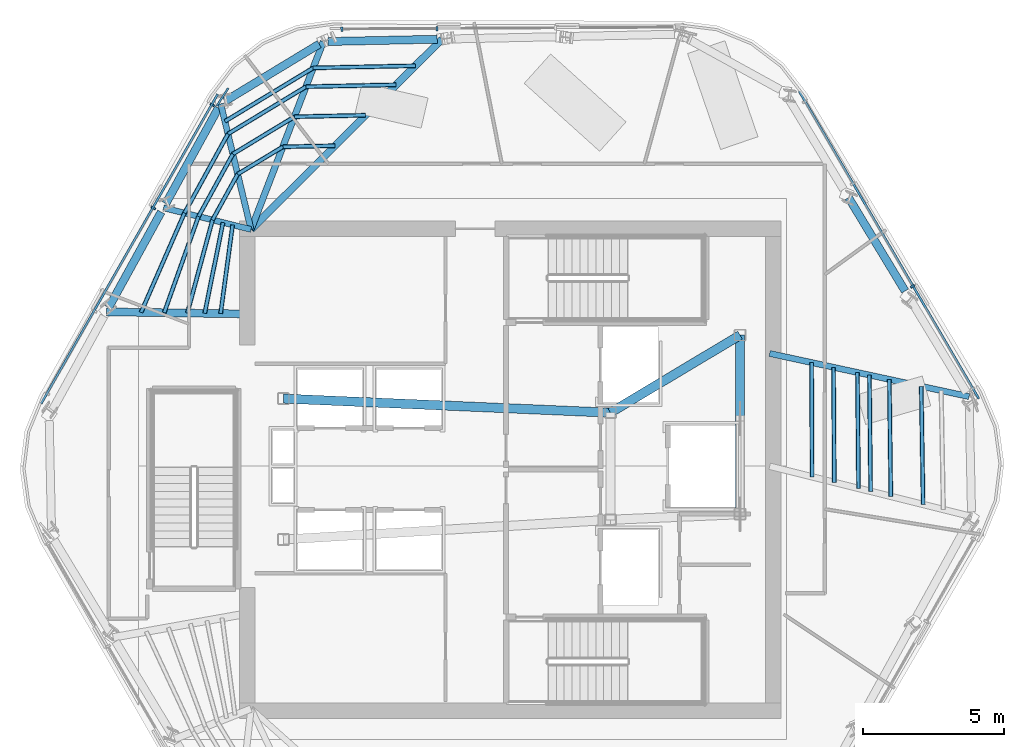
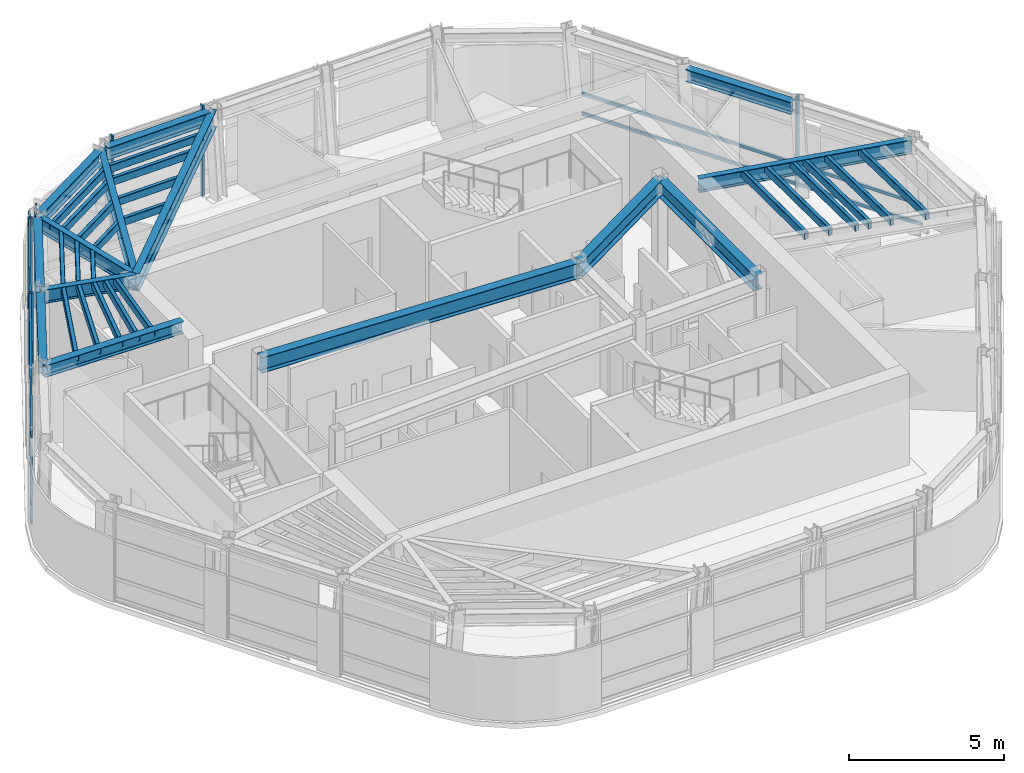
# One storey, part 4 of 13: 34 members, 14 beams, 3 elements without a shape of their own.
"""IFC4 building model written with IfcOpenShell, lengths in metres."""

import ifcopenshell
import ifcopenshell.guid

model = None  # the IFC model being written
_history = None  # IfcOwnerHistory: only IFC2X3 demands one
_inside = {}  # id of a spatial element -> (the spatial element, [elements in it])
_under = {}  # id of a project, library or spatial element -> (it, [spatial elements below it])
_declared = {}  # id of a project -> (the project, [libraries it declares])
_typed = {}  # id of a type object -> (the type object, [elements of that type])
_made_of = {}  # id of a material, layer set ... -> (it, [elements and type objects made of it])


def new_model(schema):
    """Start an empty IFC model of exactly this schema.

    Asked for "IFC4X3", IfcOpenShell would pick the latest addendum, in which some entities
    have other attributes; the version numbers below select the first issue.
    IFC2X3 requires an IfcOwnerHistory on every rooted entity: one is made here for all.
    """
    global model, _history
    if schema == "IFC4X3":
        model = ifcopenshell.file(schema_version=(4, 3, 0, 0))
    else:
        model = ifcopenshell.file(schema=schema)
    _inside.clear()
    _under.clear()
    _declared.clear()
    _typed.clear()
    _made_of.clear()
    _history = None
    if model.schema == "IFC2X3":
        org = make("IfcOrganization", Name="unknown")
        user = make(
            "IfcPersonAndOrganization",
            ThePerson=make("IfcPerson", FamilyName="unknown"),
            TheOrganization=org,
        )
        app = make(
            "IfcApplication",
            ApplicationDeveloper=org,
            Version="unknown",
            ApplicationFullName="unknown",
            ApplicationIdentifier="unknown",
        )
        _history = make(
            "IfcOwnerHistory",
            OwningUser=user,
            OwningApplication=app,
            ChangeAction="ADDED",
            CreationDate=0,
        )
    return model


def make(cls, **values):
    """One entity of the class cls with the attributes given. An attribute that is None is left unset."""
    return model.create_entity(
        cls, **{name: value for name, value in values.items() if value is not None}
    )


def rooted(cls, **values):
    """An entity with a GlobalId (a new one), such as an element, a storey or a relation."""
    return make(cls, GlobalId=ifcopenshell.guid.new(), OwnerHistory=_history, **values)


def si_unit(unit_type, name, prefix=None):
    """IfcSIUnit, for example si_unit("LENGTHUNIT", "METRE", prefix="MILLI")."""
    return make("IfcSIUnit", UnitType=unit_type, Prefix=prefix, Name=name)


def assignment(units):
    """IfcUnitAssignment: the units of a project."""
    return None if units is None else make("IfcUnitAssignment", Units=units)


def point(xyz):
    """IfcCartesianPoint."""
    return None if xyz is None else make("IfcCartesianPoint", Coordinates=xyz)


def direction(xyz):
    """IfcDirection."""
    return None if xyz is None else make("IfcDirection", DirectionRatios=xyz)


def frame(location, z_axis=None, x_axis=None):
    """IfcAxis2Placement3D, a coordinate frame: its origin and axes. An axis left out is left unset."""
    return make(
        "IfcAxis2Placement3D",
        Location=point(location),
        Axis=direction(z_axis),
        RefDirection=direction(x_axis),
    )


def frame_2d(location, x_axis=None):
    """IfcAxis2Placement2D, a coordinate frame in the plane: its origin and x axis."""
    return make(
        "IfcAxis2Placement2D", Location=point(location), RefDirection=direction(x_axis)
    )


def origin():
    """The frame at (0, 0, 0) with its axes left unset."""
    return frame((0.0, 0.0, 0.0))


def origin_2d():
    """The frame at (0, 0) in the plane with its x axis left unset."""
    return frame_2d((0.0, 0.0))


def place(relative_to, where):
    """IfcLocalPlacement: puts the frame where relative to a parent placement (None: the world)."""
    return make(
        "IfcLocalPlacement", PlacementRelTo=relative_to, RelativePlacement=where
    )


def context(
    kind, dimensions, precision=None, world=None, true_north=None, identifier=None
):
    """IfcGeometricRepresentationContext, for example the 3D "Model" context."""
    return make(
        "IfcGeometricRepresentationContext",
        ContextIdentifier=identifier,
        ContextType=kind,
        CoordinateSpaceDimension=dimensions,
        Precision=precision,
        WorldCoordinateSystem=world,
        TrueNorth=true_north,
    )


def subcontext(parent, identifier, kind, view, scale=None):
    """IfcGeometricRepresentationSubContext, for example "Body" below "Model"."""
    return make(
        "IfcGeometricRepresentationSubContext",
        ContextIdentifier=identifier,
        ContextType=kind,
        ParentContext=parent,
        TargetScale=scale,
        TargetView=view,
    )


def project(units=None, contexts=None):
    """IfcProject with its units and contexts."""
    return rooted(
        "IfcProject",
        Name="project",
        RepresentationContexts=contexts,
        UnitsInContext=assignment(units),
    )


def spatial(cls, under=None, at=None, **own):
    """A site, building, storey or space (cls), placed at a placement, below another one or the project."""
    s = rooted(cls, ObjectPlacement=at, **own)
    if under is not None:
        _under.setdefault(under.id(), (under, []))[1].append(s)
    return s


def profile(cls, at=None, kind="AREA", **sizes):
    """A parametric profile (cls). Its sizes go by their IFC names, for example OverallWidth=200.0."""
    return make(cls, ProfileType=kind, Position=at, **sizes)


def rectangle(**sizes):
    """IfcRectangleProfileDef."""
    return profile("IfcRectangleProfileDef", **sizes)


def hollow_rectangle(**sizes):
    """IfcRectangleHollowProfileDef."""
    return profile("IfcRectangleHollowProfileDef", **sizes)


def i_section(**sizes):
    """IfcIShapeProfileDef."""
    return profile("IfcIShapeProfileDef", **sizes)


def extrude(swept, where, along, depth):
    """IfcExtrudedAreaSolid: the profile swept, set in the frame where, extruded along a direction by depth."""
    return make(
        "IfcExtrudedAreaSolid",
        SweptArea=swept,
        Position=where,
        ExtrudedDirection=direction(along),
        Depth=depth,
    )


def shape(context_of_items, identifier, shape_type, items):
    """IfcShapeRepresentation: the items that make up one representation, for example the "Body"."""
    return make(
        "IfcShapeRepresentation",
        ContextOfItems=context_of_items,
        RepresentationIdentifier=identifier,
        RepresentationType=shape_type,
        Items=items,
    )


def material(Name=None, Category=None):
    """IfcMaterial."""
    return make("IfcMaterial", Name=Name, Category=Category)


def layer(
    of_material, thickness, ventilated=None, Name=None, Category=None, Priority=None
):
    """IfcMaterialLayer: one layer of a wall or slab, of a material (None: an air gap)."""
    return make(
        "IfcMaterialLayer",
        Material=of_material,
        LayerThickness=thickness,
        IsVentilated=ventilated,
        Name=Name,
        Category=Category,
        Priority=Priority,
    )


def layer_set(layers, Name=None):
    """IfcMaterialLayerSet."""
    return make("IfcMaterialLayerSet", MaterialLayers=layers, LayerSetName=Name)


def material_profile(
    of_material, cross_section, Name=None, Category=None, Priority=None
):
    """IfcMaterialProfile: a cross section and its material."""
    return make(
        "IfcMaterialProfile",
        Name=Name,
        Material=of_material,
        Profile=cross_section,
        Priority=Priority,
        Category=Category,
    )


def profile_set(profiles, Name=None, composite=None):
    """IfcMaterialProfileSet."""
    return make(
        "IfcMaterialProfileSet",
        Name=Name,
        MaterialProfiles=profiles,
        CompositeProfile=composite,
    )


def made_of(thing, what):
    """Note that an element or type object is made of a material, layer set ...; save() writes the relation."""
    if what is not None:
        _made_of.setdefault(what.id(), (what, []))[1].append(thing)
    return thing


def type_object(cls, material=None, **own):
    """A type object (cls), such as IfcWallType, which elements share."""
    return made_of(rooted(cls, **own), material)


def element(
    cls,
    number,
    at=None,
    inside=None,
    cuts=None,
    type_object=None,
    material=None,
    context=None,
    identifier="Body",
    shape_type=None,
    held_by="IfcProductDefinitionShape",
    body=None,
    shapes=None,
    **own,
):
    """One element of the class cls, such as IfcWall. Its Tag is "e" and its number.

    at: its placement. inside: the storey or other place that contains it. cuts: it is an
    opening in that element (IfcRelVoidsElement). A single representation is given by context,
    identifier, shape_type and body (its items); several are given by shapes. held_by: the class
    of the entity that holds the representations. save() writes the other relations.
    """
    e = rooted(cls, Tag="e%d" % number, ObjectPlacement=at, **own)
    if body is not None:
        shapes = [shape(context, identifier, shape_type, body)]
    if shapes is not None:
        e.Representation = make(held_by, Representations=shapes)
    if inside is not None:
        _inside.setdefault(inside.id(), (inside, []))[1].append(e)
    if cuts is not None:
        rooted(
            "IfcRelVoidsElement", RelatingBuildingElement=cuts, RelatedOpeningElement=e
        )
    if type_object is not None:
        _typed.setdefault(type_object.id(), (type_object, []))[1].append(e)
    return made_of(e, material)


def aggregate(whole, parts):
    """IfcRelAggregates: a whole, such as a stair, and the parts it consists of."""
    return rooted("IfcRelAggregates", RelatingObject=whole, RelatedObjects=parts)


def save(model, path):
    """Write the relations noted so far, then the file.

    IfcRelAggregates (storeys below a building ...), IfcRelContainedInSpatialStructure (elements
    in a storey), IfcRelDefinesByType, IfcRelAssociatesMaterial and IfcRelDeclares: one each for
    every whole, place, type object, material and project.
    """
    for whole, parts in _under.values():
        aggregate(whole, parts)
    for where, things in _inside.values():
        rooted(
            "IfcRelContainedInSpatialStructure",
            RelatedElements=things,
            RelatingStructure=where,
        )
    for kind, things in _typed.values():
        rooted("IfcRelDefinesByType", RelatedObjects=things, RelatingType=kind)
    for what, things in _made_of.values():
        rooted("IfcRelAssociatesMaterial", RelatedObjects=things, RelatingMaterial=what)
    for by, libraries in _declared.values():
        rooted("IfcRelDeclares", RelatingContext=by, RelatedDefinitions=libraries)
    model.write(path)


model = new_model("IFC4")

# Units and contexts
model_context = context("Model", 3, precision=1e-05, world=origin(), true_north=direction((0.0, 1.0)))
body_context = subcontext(model_context, "Body", "Model", "MODEL_VIEW")
ifc_project = project(units=[si_unit("LENGTHUNIT", "METRE"), si_unit("AREAUNIT", "SQUARE_METRE"), si_unit("VOLUMEUNIT", "CUBIC_METRE"), si_unit("PLANEANGLEUNIT", "RADIAN"), si_unit("MASSUNIT", "GRAM", prefix="KILO")], contexts=[model_context])

# Site, building, storey
site_placement = place(None, origin())
site = spatial("IfcSite", under=ifc_project, at=site_placement, CompositionType="ELEMENT")
building_placement = place(site_placement, origin())
building = spatial("IfcBuilding", under=site, at=building_placement, Name="Valkerne Bourse Tower", CompositionType="ELEMENT")
storey_placement = place(building_placement, frame((0.0, 0.0, 285.0)))
storey = spatial("IfcBuildingStorey", under=building, at=storey_placement, Name="L72", CompositionType="ELEMENT", Elevation=285.0)

# Beams
ifc_material_1 = material(Name="Steel ASTM A992", Category="steel")
ifc_material_profile_1 = material_profile(ifc_material_1, i_section(OverallWidth=0.284423828125, OverallDepth=0.47509765625, WebThickness=0.014892578125, FlangeThickness=0.02392578125, FilletRadius=0.017822265625, at=origin_2d()), Name="W18X106")
ifc_profile_set_1 = profile_set([ifc_material_profile_1], Name="Steel ASTM A992")
beam_type_1 = type_object("IfcBeamType", Name="BM-W18X106", PredefinedType="BEAM", material=ifc_profile_set_1)
beam_1_placement = place(storey_placement, frame((44.206298828125, 42.147705078125, 3.362548828125), z_axis=(-0.999780862792, -0.020933857622, 0.0), x_axis=(0.020933857622, -0.999780862792, 0.0)))
element("IfcBeam", 1, at=beam_1_placement, inside=storey, type_object=beam_type_1, Name="L72 Hexagonal Spandrel Ring Beam 02", PredefinedType="BEAM", context=body_context, shape_type="SweptSolid", body=[
    extrude(i_section(OverallWidth=0.284423828125, OverallDepth=0.47509765625, WebThickness=0.014892578125, FlangeThickness=0.02392578125, FilletRadius=0.017822265625, at=origin_2d()), origin(), (0.0, 0.0, 1.0), 3.871826171875),
])
beam_2_placement = place(storey_placement, frame((40.019775390625, 41.97509765625, 3.362548828125), z_axis=(-0.855378673822, -0.518003208842, 0.0), x_axis=(0.518003208842, -0.855378673822, 0.0)))
element("IfcBeam", 2, at=beam_2_placement, inside=storey, type_object=beam_type_1, Name="L72 Hexagonal Spandrel Ring Beam 03", PredefinedType="BEAM", context=body_context, shape_type="SweptSolid", body=[
    extrude(i_section(OverallWidth=0.284423828125, OverallDepth=0.47509765625, WebThickness=0.014892578125, FlangeThickness=0.02392578125, FilletRadius=0.017822265625, at=origin_2d()), origin(), (0.0, 0.0, 1.0), 3.915771484375),
])
for number, where, z_axis, x_axis, name in (
    (3, (36.443115234375, 39.709716796875, 3.362548828125), (-0.48177835967, -0.876293108585, 0.0), (0.876293108585, -0.48177835967, 0.0), "L72 Hexagonal Spandrel Ring Beam 04"),
    (4, (34.413818359375, 36.0185546875, 3.362548828125), (-0.481729940687, -0.876319727181, 0.0), (0.876319727181, -0.481729940687, 0.0), "L72 Hexagonal Spandrel Ring Beam 05"),
):
    element("IfcBeam", number, at=place(storey_placement, frame(where, z_axis=z_axis, x_axis=x_axis)), inside=storey, type_object=beam_type_1, Name=name, PredefinedType="BEAM", context=body_context, shape_type="SweptSolid", body=[
        extrude(i_section(OverallWidth=0.284423828125, OverallDepth=0.47509765625, WebThickness=0.014892578125, FlangeThickness=0.02392578125, FilletRadius=0.017822265625, at=origin_2d()), origin(), (0.0, 0.0, 1.0), 3.8720703125),
    ])
beam_3_placement = place(storey_placement, frame((60.80322265625, 33.21728515625, 3.362548828125), z_axis=(-0.517987258814, 0.855388332693, 0.0), x_axis=(-0.855388332693, -0.517987258814, 0.0)))
element("IfcBeam", 5, at=beam_3_placement, inside=storey, type_object=beam_type_1, Name="L72 Hexagonal Spandrel Ring Beam 21", PredefinedType="BEAM", context=body_context, shape_type="SweptSolid", body=[
    extrude(i_section(OverallWidth=0.284423828125, OverallDepth=0.47509765625, WebThickness=0.014892578125, FlangeThickness=0.02392578125, FilletRadius=0.017822265625, at=origin_2d()), origin(), (0.0, 0.0, 1.0), 3.871826171875),
])
ifc_material_profile_2 = material_profile(ifc_material_1, i_section(OverallWidth=0.279296875, OverallDepth=0.46240234375, WebThickness=0.0107421875, FlangeThickness=0.017333984375, FilletRadius=0.017822265625, at=origin_2d()), Name="W18X76")
ifc_profile_set_2 = profile_set([ifc_material_profile_2], Name="Steel ASTM A992")
beam_type_2 = type_object("IfcBeamType", Name="BM-W18X76", PredefinedType="BEAM", material=ifc_profile_set_2)
beam_4_placement = place(storey_placement, frame((32.466796875, 32.4765625, 3.368896484375), z_axis=(0.999888508093, -0.014932226365, 0.0), x_axis=(0.014932226365, 0.999888508093, 0.0)))
element("IfcBeam", 6, at=beam_4_placement, inside=storey, type_object=beam_type_2, Name="L72 Radial Composite Floor Beam 06", PredefinedType="BEAM", context=body_context, shape_type="SweptSolid", body=[
    extrude(i_section(OverallWidth=0.279296875, OverallDepth=0.46240234375, WebThickness=0.0107421875, FlangeThickness=0.017333984375, FilletRadius=0.017822265625, at=origin_2d()), origin(), (0.0, 0.0, 1.0), 5.1337890625),
])
ifc_material_profile_3 = material_profile(ifc_material_1, i_section(OverallWidth=0.209228515625, OverallDepth=0.533447265625, WebThickness=0.01025390625, FlangeThickness=0.015625, FilletRadius=0.017822265625, at=origin_2d()), Name="W21X62")
ifc_profile_set_3 = profile_set([ifc_material_profile_3], Name="Steel ASTM A992")
beam_type_3 = type_object("IfcBeamType", Name="BM-W21X62", PredefinedType="JOIST", material=ifc_profile_set_3)
beam_5_placement = place(storey_placement, frame((34.495849609375, 36.16748046875, 3.333251953125), z_axis=(0.97076354298, -0.240037796235, 0.0), x_axis=(0.240037796235, 0.97076354298, 0.0)))
element("IfcBeam", 7, at=beam_5_placement, inside=storey, type_object=beam_type_3, Name="L72 Radial Composite Floor Beam 05", PredefinedType="JOIST", context=body_context, shape_type="SweptSolid", body=[
    extrude(i_section(OverallWidth=0.209228515625, OverallDepth=0.533447265625, WebThickness=0.01025390625, FlangeThickness=0.015625, FilletRadius=0.017822265625, at=origin_2d()), origin(), (0.0, 0.0, 1.0), 3.19775390625),
])
ifc_material_profile_4 = material_profile(ifc_material_1, i_section(OverallWidth=0.2138671875, OverallDepth=0.548583984375, WebThickness=0.0146484375, FlangeThickness=0.023681640625, FilletRadius=0.017822265625, at=origin_2d()), Name="W21X93")
ifc_profile_set_4 = profile_set([ifc_material_profile_4], Name="Steel ASTM A992")
beam_type_4 = type_object("IfcBeamType", Name="BM-W21X93", PredefinedType="BEAM", material=ifc_profile_set_4)
beam_6_placement = place(storey_placement, frame((36.52490234375, 39.858642578125, 3.32568359375), z_axis=(0.234423720793, -0.972134516993, 0.0), x_axis=(0.972134516993, 0.234423720793, 0.0)))
element("IfcBeam", 8, at=beam_6_placement, inside=storey, type_object=beam_type_4, Name="L72 Radial Composite Floor Beam 04", PredefinedType="BEAM", context=body_context, shape_type="SweptSolid", body=[
    extrude(i_section(OverallWidth=0.2138671875, OverallDepth=0.548583984375, WebThickness=0.0146484375, FlangeThickness=0.023681640625, FilletRadius=0.017822265625, at=origin_2d()), origin(), (0.0, 0.0, 1.0), 4.58642578125),
])
beam_7_placement = place(storey_placement, frame((63.073486328125, 29.46923828125, 3.32568359375), z_axis=(-0.977375353687, 0.211512217154, 0.0), x_axis=(-0.211512217154, -0.977375353687, 0.0)))
element("IfcBeam", 9, at=beam_7_placement, inside=storey, type_object=beam_type_4, Name="L72 Radial Composite Floor Beam 20", PredefinedType="BEAM", context=body_context, shape_type="SweptSolid", body=[
    extrude(i_section(OverallWidth=0.2138671875, OverallDepth=0.548583984375, WebThickness=0.0146484375, FlangeThickness=0.023681640625, FilletRadius=0.017822265625, at=origin_2d()), origin(), (0.0, 0.0, 1.0), 7.2373046875),
])
ifc_material_profile_5 = material_profile(ifc_material_1, i_section(OverallWidth=0.3251953125, OverallDepth=0.612060546875, WebThickness=0.0126953125, FlangeThickness=0.01904296875, FilletRadius=0.020263671875, at=origin_2d()), Name="W24X104")
ifc_profile_set_5 = profile_set([ifc_material_profile_5], Name="Steel ASTM A992")
beam_type_5 = type_object("IfcBeamType", Name="BM-W24X104", PredefinedType="BEAM", material=ifc_profile_set_5)
beam_8_placement = place(storey_placement, frame((50.35009765625, 28.89990234375, 3.2939453125), z_axis=(0.858307823492, 0.513135148019, 0.0), x_axis=(-0.513135148019, 0.858307823492, 0.0)))
element("IfcBeam", 10, at=beam_8_placement, inside=storey, type_object=beam_type_5, Name="L72 Core Frame Girder CG-NE", PredefinedType="BEAM", context=body_context, shape_type="SweptSolid", body=[
    extrude(i_section(OverallWidth=0.3251953125, OverallDepth=0.612060546875, WebThickness=0.0126953125, FlangeThickness=0.01904296875, FilletRadius=0.020263671875, at=origin_2d()), origin(), (0.0, 0.0, 1.0), 5.359130859375),
])
beam_9_placement = place(storey_placement, frame((54.949951171875, 25.300048828125, 3.2939453125), z_axis=(0.0, 1.0, 0.0), x_axis=(-1.0, 0.0, 0.0)))
element("IfcBeam", 11, at=beam_9_placement, inside=storey, type_object=beam_type_5, Name="L72 Core Frame Girder CG-EE", PredefinedType="BEAM", context=body_context, shape_type="SweptSolid", body=[
    extrude(i_section(OverallWidth=0.3251953125, OverallDepth=0.612060546875, WebThickness=0.0126953125, FlangeThickness=0.01904296875, FilletRadius=0.020263671875, at=origin_2d()), origin(), (0.0, 0.0, 1.0), 6.349853515625),
])
beam_10_placement = place(storey_placement, frame((38.75, 29.39990234375, 3.2939453125), z_axis=(0.999072354402, -0.043063101019, 0.0), x_axis=(0.043063101019, 0.999072354402, 0.0)))
element("IfcBeam", 12, at=beam_10_placement, inside=storey, type_object=beam_type_5, Name="L72 Core Frame Girder CG-NW", PredefinedType="BEAM", context=body_context, shape_type="SweptSolid", body=[
    extrude(i_section(OverallWidth=0.3251953125, OverallDepth=0.612060546875, WebThickness=0.0126953125, FlangeThickness=0.01904296875, FilletRadius=0.020263671875, at=origin_2d()), origin(), (0.0, 0.0, 1.0), 11.61083984375),
])
ifc_material_profile_6 = material_profile(ifc_material_1, i_section(OverallWidth=0.228271484375, OverallDepth=0.607177734375, WebThickness=0.01123046875, FlangeThickness=0.017333984375, FilletRadius=0.017822265625, at=origin_2d()), Name="W24X76")
ifc_profile_set_6 = profile_set([ifc_material_profile_6], Name="Steel ASTM A992")
beam_type_6 = type_object("IfcBeamType", Name="BM-W24X76", PredefinedType="JOIST", material=ifc_profile_set_6)
beam_11_placement = place(storey_placement, frame((40.1650390625, 42.06298828125, 3.29638671875), z_axis=(-0.359249449089, -0.933241572868, 0.0), x_axis=(0.933241572868, -0.359249449089, 0.0)))
element("IfcBeam", 13, at=beam_11_placement, inside=storey, type_object=beam_type_6, Name="L72 Radial Composite Floor Beam 03", PredefinedType="JOIST", context=body_context, shape_type="SweptSolid", body=[
    extrude(i_section(OverallWidth=0.228271484375, OverallDepth=0.607177734375, WebThickness=0.01123046875, FlangeThickness=0.017333984375, FilletRadius=0.017822265625, at=origin_2d()), origin(), (0.0, 0.0, 1.0), 7.1396484375),
])
ifc_material_profile_7 = material_profile(ifc_material_1, i_section(OverallWidth=0.255859375, OverallDepth=0.693359375, WebThickness=0.014404296875, FlangeThickness=0.023681640625, FilletRadius=0.02294921875, at=origin_2d()), Name="W27X114")
ifc_profile_set_7 = profile_set([ifc_material_profile_7], Name="Steel ASTM A992")
beam_type_7 = type_object("IfcBeamType", Name="BM-W27X114", PredefinedType="BEAM", material=ifc_profile_set_7)
beam_12_placement = place(storey_placement, frame((44.376220703125, 42.1513671875, 3.25341796875), z_axis=(-0.708394524621, -0.705816688303, 0.0), x_axis=(0.705816688303, -0.708394524621, 0.0)))
element("IfcBeam", 14, at=beam_12_placement, inside=storey, type_object=beam_type_7, Name="L72 Radial Composite Floor Beam 02", PredefinedType="BEAM", context=body_context, shape_type="SweptSolid", body=[
    extrude(i_section(OverallWidth=0.255859375, OverallDepth=0.693359375, WebThickness=0.014404296875, FlangeThickness=0.023681640625, FilletRadius=0.02294921875, at=origin_2d()), origin(), (0.0, 0.0, 1.0), 9.5654296875),
])

# Curtain wall, members
ifc_material_2 = material(Name="Aluminium AA 6063-T6", Category="aluminium")
ifc_layer = layer(ifc_material_2, 0.2451171875)
ifc_layer_set = layer_set([ifc_layer], Name="Aluminium AA 6063-T6")
curtain_wall_type = type_object("IfcCurtainWallType", Name="CW-05", PredefinedType="NOTDEFINED", material=ifc_layer_set)
curtain_wall_1_placement = place(storey_placement, origin())
curtain_wall_1 = element("IfcCurtainWall", 15, at=curtain_wall_1_placement, inside=storey, type_object=curtain_wall_type, Name="L72 Hexagonal Stick Curtain Wall Face 1", PredefinedType="NOTDEFINED")
ifc_material_profile_8 = material_profile(ifc_material_2, rectangle(XDim=0.074951171875, YDim=0.159912109375, at=origin_2d()), Name="CWM-75X160")
ifc_profile_set_8 = profile_set([ifc_material_profile_8], Name="Aluminium AA 6063-T6")
member_type_1 = type_object("IfcMemberType", Name="CW-MUL-160X75", PredefinedType="MULLION", material=ifc_profile_set_8)
member_1_placement = place(storey_placement, frame((44.192626953125, 42.525390625, 0.0), z_axis=(0.0, 0.0, 1.0), x_axis=(-0.999986358869, -0.005223224655, 0.0)))
member_1 = element("IfcMember", 16, at=member_1_placement, type_object=member_type_1, Name="CW-L72-F1 Jamb Mullion 02A", PredefinedType="MULLION", context=body_context, shape_type="SweptSolid", body=[
    extrude(rectangle(XDim=0.074951171875, YDim=0.159912109375, at=origin_2d()), origin(), (0.0, 0.0, 1.0), 3.60009765625),
])
member_2_placement = place(storey_placement, frame((40.82080078125, 42.5078125, 0.0), z_axis=(0.0, 0.0, 1.0), x_axis=(-0.999986358869, -0.005223224655, 0.0)))
member_2 = element("IfcMember", 17, at=member_2_placement, type_object=member_type_1, Name="CW-L72-F1 Jamb Mullion 02B", PredefinedType="MULLION", context=body_context, shape_type="SweptSolid", body=[
    extrude(rectangle(XDim=0.074951171875, YDim=0.159912109375, at=origin_2d()), origin(), (0.0, 0.0, 1.0), 3.60009765625),
])
aggregate(curtain_wall_1, [member_1, member_2])

curtain_wall_2_placement = place(storey_placement, origin())
curtain_wall_2 = element("IfcCurtainWall", 18, at=curtain_wall_2_placement, inside=storey, type_object=curtain_wall_type, Name="L72 Hexagonal Stick Curtain Wall Face 2", PredefinedType="NOTDEFINED")
member_3_placement = place(storey_placement, frame((36.224853515625, 39.822021484375, 0.0), z_axis=(0.0, 0.0, 1.0), x_axis=(-0.495461241573, -0.86863004674, 0.0)))
member_3 = element("IfcMember", 19, at=member_3_placement, type_object=member_type_1, Name="CW-L72-F2 Jamb Mullion 00A", PredefinedType="MULLION", context=body_context, shape_type="SweptSolid", body=[
    extrude(rectangle(XDim=0.074951171875, YDim=0.159912109375, at=origin_2d()), origin(), (0.0, 0.0, 1.0), 3.60009765625),
])
member_4_placement = place(storey_placement, frame((34.137939453125, 36.163330078125, 0.0), z_axis=(0.0, 0.0, 1.0), x_axis=(-0.495443327875, -0.868640264358, 0.0)))
member_4 = element("IfcMember", 20, at=member_4_placement, type_object=member_type_1, Name="CW-L72-F2 Jamb Mullion 01A", PredefinedType="MULLION", context=body_context, shape_type="SweptSolid", body=[
    extrude(rectangle(XDim=0.074951171875, YDim=0.159912109375, at=origin_2d()), origin(), (0.0, 0.0, 1.0), 3.60009765625),
])

# Curtain wall, member
curtain_wall_3_placement = place(storey_placement, origin())
curtain_wall_3 = element("IfcCurtainWall", 21, at=curtain_wall_3_placement, inside=storey, type_object=curtain_wall_type, Name="L72 Hexagonal Stick Curtain Wall Face 6", PredefinedType="NOTDEFINED")
member_5_placement = place(storey_placement, frame((61.066650390625, 33.384033203125, 0.0), z_axis=(0.0, 0.0, 1.0), x_axis=(-0.504535152451, 0.863391151183, 0.0)))
member_5 = element("IfcMember", 22, at=member_5_placement, type_object=member_type_1, Name="CW-L72-F6 Jamb Mullion 01A", PredefinedType="MULLION", context=body_context, shape_type="SweptSolid", body=[
    extrude(rectangle(XDim=0.074951171875, YDim=0.159912109375, at=origin_2d()), origin(), (0.0, 0.0, 1.0), 3.60009765625),
])

# Member
ifc_material_profile_9 = material_profile(ifc_material_2, rectangle(XDim=0.074951171875, YDim=0.1201171875, at=origin_2d()), Name="CWT-75X120")
ifc_profile_set_9 = profile_set([ifc_material_profile_9], Name="Aluminium AA 6063-T6")
member_type_2 = type_object("IfcMemberType", Name="CW-TRN-120X75", PredefinedType="USERDEFINED", material=ifc_profile_set_9)
member_6_placement = place(storey_placement, frame((36.41552734375, 40.19677734375, 0.1201171875), z_axis=(-0.495464638722, -0.868628109018, 0.0), x_axis=(0.868628109018, -0.495464638722, 0.0)))
member_6 = element("IfcMember", 23, at=member_6_placement, type_object=member_type_2, Name="CW-L72-F2 Continuous Face Transom 1", ObjectType="TRANSOM", PredefinedType="USERDEFINED", context=body_context, shape_type="SweptSolid", body=[
    extrude(rectangle(XDim=0.074951171875, YDim=0.1201171875, at=origin_2d()), origin(), (0.0, 0.0, 1.0), 12.635986328125),
])

member_7_placement = place(storey_placement, frame((36.41552734375, 40.19677734375, 0.89990234375), z_axis=(-0.495464638722, -0.868628109018, 0.0), x_axis=(0.868628109018, -0.495464638722, 0.0)))
member_7 = element("IfcMember", 24, at=member_7_placement, type_object=member_type_2, Name="CW-L72-F2 Continuous Face Transom 2", ObjectType="TRANSOM", PredefinedType="USERDEFINED", context=body_context, shape_type="SweptSolid", body=[
    extrude(rectangle(XDim=0.074951171875, YDim=0.1201171875, at=origin_2d()), origin(), (0.0, 0.0, 1.0), 12.635986328125),
])

member_8_placement = place(storey_placement, frame((36.41552734375, 40.19677734375, 2.39990234375), z_axis=(-0.495464638722, -0.868628109018, 0.0), x_axis=(0.868628109018, -0.495464638722, 0.0)))
member_8 = element("IfcMember", 25, at=member_8_placement, type_object=member_type_2, Name="CW-L72-F2 Continuous Face Transom 3", ObjectType="TRANSOM", PredefinedType="USERDEFINED", context=body_context, shape_type="SweptSolid", body=[
    extrude(rectangle(XDim=0.074951171875, YDim=0.1201171875, at=origin_2d()), origin(), (0.0, 0.0, 1.0), 12.635986328125),
])

member_9_placement = place(storey_placement, frame((36.41552734375, 40.19677734375, 3.52001953125), z_axis=(-0.495464638722, -0.868628109018, 0.0), x_axis=(0.868628109018, -0.495464638722, 0.0)))
member_9 = element("IfcMember", 26, at=member_9_placement, type_object=member_type_2, Name="CW-L72-F2 Continuous Face Transom 4", ObjectType="TRANSOM", PredefinedType="USERDEFINED", context=body_context, shape_type="SweptSolid", body=[
    extrude(rectangle(XDim=0.074951171875, YDim=0.1201171875, at=origin_2d()), origin(), (0.0, 0.0, 1.0), 12.635986328125),
])

aggregate(curtain_wall_2, [member_6, member_7, member_8, member_9, member_3, member_4])

member_10_placement = place(storey_placement, frame((63.4208984375, 29.39501953125, 0.1201171875), z_axis=(-0.504536408732, 0.863390417056, 0.0), x_axis=(-0.863390417056, -0.504536408732, 0.0)))
member_10 = element("IfcMember", 27, at=member_10_placement, type_object=member_type_2, Name="CW-L72-F6 Continuous Face Transom 1", ObjectType="TRANSOM", PredefinedType="USERDEFINED", context=body_context, shape_type="SweptSolid", body=[
    extrude(rectangle(XDim=0.074951171875, YDim=0.1201171875, at=origin_2d()), origin(), (0.0, 0.0, 1.0), 12.6357421875),
])

member_11_placement = place(storey_placement, frame((63.4208984375, 29.39501953125, 0.89990234375), z_axis=(-0.504536408732, 0.863390417056, 0.0), x_axis=(-0.863390417056, -0.504536408732, 0.0)))
member_11 = element("IfcMember", 28, at=member_11_placement, type_object=member_type_2, Name="CW-L72-F6 Continuous Face Transom 2", ObjectType="TRANSOM", PredefinedType="USERDEFINED", context=body_context, shape_type="SweptSolid", body=[
    extrude(rectangle(XDim=0.074951171875, YDim=0.1201171875, at=origin_2d()), origin(), (0.0, 0.0, 1.0), 12.6357421875),
])

aggregate(curtain_wall_3, [member_10, member_11, member_5])

# Members
ifc_material_3 = material(Name="Bronze Anodised Aluminium AA 6063-T6", Category="aluminium")
ifc_material_profile_10 = material_profile(ifc_material_3, rectangle(XDim=0.06494140625, YDim=0.75, at=origin_2d()), Name="FIN-65X750")
ifc_profile_set_10 = profile_set([ifc_material_profile_10], Name="Bronze Anodised Aluminium AA 6063-T6")
member_type_3 = type_object("IfcMemberType", Name="FIN-SOLAR-650", PredefinedType="USERDEFINED", material=ifc_profile_set_10)
member_12_placement = place(storey_placement, frame((36.589111328125, 40.09765625, 0.00390625), z_axis=(0.0, 0.0, 1.0), x_axis=(-0.843023339841, 0.537876982667, 0.0)))
element("IfcMember", 29, at=member_12_placement, inside=storey, type_object=member_type_3, Name="L72 Bronze Anodised Solar Fin F2-00", ObjectType="SOLAR_FIN", PredefinedType="USERDEFINED", context=body_context, shape_type="SweptSolid", body=[
    extrude(rectangle(XDim=0.06494140625, YDim=0.75, at=origin_2d()), origin(), (0.0, 0.0, 1.0), 3.592041015625),
])
ifc_material_4 = material(Name="Steel ASTM A500 Grade C", Category="steel")
ifc_material_profile_11 = material_profile(ifc_material_4, hollow_rectangle(XDim=0.14990234375, YDim=0.300048828125, WallThickness=0.012451171875, OuterFilletRadius=0.02490234375, at=origin_2d()), Name="HSS300X150X12.5")
ifc_profile_set_11 = profile_set([ifc_material_profile_11], Name="Steel ASTM A500 Grade C")
member_type_4 = type_object("IfcMemberType", Name="MBR-HSS300X150X12.5", PredefinedType="PURLIN", material=ifc_profile_set_11)
member_13_placement = place(storey_placement, frame((36.606689453125, 35.6455078125, 3.43994140625), z_axis=(-0.197644814852, -0.980273700128, 0.0), x_axis=(0.980273700128, -0.197644814852, 0.0)))
element("IfcMember", 30, at=member_13_placement, inside=storey, type_object=member_type_4, Name="L72 Secondary Composite Floor Purlin I-05", PredefinedType="PURLIN", context=body_context, shape_type="SweptSolid", body=[
    extrude(hollow_rectangle(XDim=0.14990234375, YDim=0.300048828125, WallThickness=0.012451171875, OuterFilletRadius=0.02490234375, at=origin_2d()), origin(), (0.0, 0.0, 1.0), 3.28564453125),
])
member_14_placement = place(storey_placement, frame((58.2919921875, 26.4287109375, 3.43994140625), z_axis=(-0.006998692022, 0.999975508855, 0.0), x_axis=(-0.999975508855, -0.006998692022, 0.0)))
element("IfcMember", 31, at=member_14_placement, inside=storey, type_object=member_type_4, Name="L72 Secondary Composite Floor Purlin I-19", PredefinedType="PURLIN", context=body_context, shape_type="SweptSolid", body=[
    extrude(hollow_rectangle(XDim=0.14990234375, YDim=0.300048828125, WallThickness=0.012451171875, OuterFilletRadius=0.02490234375, at=origin_2d()), origin(), (0.0, 0.0, 1.0), 4.081298828125),
])
member_15_placement = place(storey_placement, frame((40.58154296875, 38.37060546875, 3.43994140625), z_axis=(-0.999780649924, -0.02094402152, 0.0), x_axis=(0.02094402152, -0.999780649924, 0.0)))
element("IfcMember", 32, at=member_15_placement, inside=storey, type_object=member_type_4, Name="L72 Secondary Composite Floor Purlin K-02", PredefinedType="PURLIN", context=body_context, shape_type="SweptSolid", body=[
    extrude(hollow_rectangle(XDim=0.14990234375, YDim=0.300048828125, WallThickness=0.012451171875, OuterFilletRadius=0.02490234375, at=origin_2d()), origin(), (0.0, 0.0, 1.0), 1.853515625),
])
member_16_placement = place(storey_placement, frame((38.728515625, 38.331787109375, 3.43994140625), z_axis=(-0.855357166179, -0.518038722748, 0.0), x_axis=(0.518038722748, -0.855357166179, 0.0)))
element("IfcMember", 33, at=member_16_placement, inside=storey, type_object=member_type_4, Name="L72 Secondary Composite Floor Purlin K-03", PredefinedType="PURLIN", context=body_context, shape_type="SweptSolid", body=[
    extrude(hollow_rectangle(XDim=0.14990234375, YDim=0.300048828125, WallThickness=0.012451171875, OuterFilletRadius=0.02490234375, at=origin_2d()), origin(), (0.0, 0.0, 1.0), 1.872314453125),
])
member_17_placement = place(storey_placement, frame((37.126953125, 37.36181640625, 3.43994140625), z_axis=(-0.48175691669, -0.876304897408, 0.0), x_axis=(0.876304897408, -0.48175691669, 0.0)))
element("IfcMember", 34, at=member_17_placement, inside=storey, type_object=member_type_4, Name="L72 Secondary Composite Floor Purlin K-04", PredefinedType="PURLIN", context=body_context, shape_type="SweptSolid", body=[
    extrude(hollow_rectangle(XDim=0.14990234375, YDim=0.300048828125, WallThickness=0.012451171875, OuterFilletRadius=0.02490234375, at=origin_2d()), origin(), (0.0, 0.0, 1.0), 1.853271484375),
])
member_18_placement = place(storey_placement, frame((36.234130859375, 35.73779296875, 3.43994140625), z_axis=(-0.260853330114, -0.965378444015, 0.0), x_axis=(0.965378444015, -0.260853330114, 0.0)))
element("IfcMember", 35, at=member_18_placement, inside=storey, type_object=member_type_4, Name="L72 Secondary Composite Floor Purlin K-05", PredefinedType="PURLIN", context=body_context, shape_type="SweptSolid", body=[
    extrude(hollow_rectangle(XDim=0.14990234375, YDim=0.300048828125, WallThickness=0.012451171875, OuterFilletRadius=0.02490234375, at=origin_2d()), origin(), (0.0, 0.0, 1.0), 3.422607421875),
])
member_19_placement = place(storey_placement, frame((59.151611328125, 26.21435546875, 3.43994140625), z_axis=(-0.009558430509, 0.99995431716, 0.0), x_axis=(-0.99995431716, -0.009558430509, 0.0)))
element("IfcMember", 36, at=member_19_placement, inside=storey, type_object=member_type_4, Name="L72 Secondary Composite Floor Purlin K-19", PredefinedType="PURLIN", context=body_context, shape_type="SweptSolid", body=[
    extrude(hollow_rectangle(XDim=0.14990234375, YDim=0.300048828125, WallThickness=0.012451171875, OuterFilletRadius=0.02490234375, at=origin_2d()), origin(), (0.0, 0.0, 1.0), 4.1123046875),
])
member_20_placement = place(storey_placement, frame((59.581298828125, 26.107421875, 3.43994140625), z_axis=(-0.010824565426, 0.999941412675, 0.0), x_axis=(-0.999941412675, -0.010824565426, 0.0)))
element("IfcMember", 37, at=member_20_placement, inside=storey, type_object=member_type_4, Name="L72 Secondary Composite Floor Purlin M-19", PredefinedType="PURLIN", context=body_context, shape_type="SweptSolid", body=[
    extrude(hollow_rectangle(XDim=0.14990234375, YDim=0.300048828125, WallThickness=0.012451171875, OuterFilletRadius=0.02490234375, at=origin_2d()), origin(), (0.0, 0.0, 1.0), 4.12744140625),
])
member_21_placement = place(storey_placement, frame((42.75, 40.531005859375, 3.43994140625), z_axis=(-0.999781631631, -0.020897106344, 0.0), x_axis=(0.020897106344, -0.999781631631, 0.0)))
element("IfcMember", 38, at=member_21_placement, inside=storey, type_object=member_type_4, Name="L72 Secondary Composite Floor Purlin O-02", PredefinedType="PURLIN", context=body_context, shape_type="SweptSolid", body=[
    extrude(hollow_rectangle(XDim=0.14990234375, YDim=0.300048828125, WallThickness=0.012451171875, OuterFilletRadius=0.02490234375, at=origin_2d()), origin(), (0.0, 0.0, 1.0), 3.201171875),
])
member_22_placement = place(storey_placement, frame((39.549560546875, 40.464111328125, 3.43994140625), z_axis=(-0.855361020677, -0.518032358358, 0.0), x_axis=(0.518032358358, -0.855361020677, 0.0)))
element("IfcMember", 39, at=member_22_placement, inside=storey, type_object=member_type_4, Name="L72 Secondary Composite Floor Purlin O-03", PredefinedType="PURLIN", context=body_context, shape_type="SweptSolid", body=[
    extrude(hollow_rectangle(XDim=0.14990234375, YDim=0.300048828125, WallThickness=0.012451171875, OuterFilletRadius=0.02490234375, at=origin_2d()), origin(), (0.0, 0.0, 1.0), 3.234375),
])
member_23_placement = place(storey_placement, frame((36.782958984375, 38.78857421875, 3.43994140625), z_axis=(-0.481772359158, -0.876296407588, 0.0), x_axis=(0.876296407588, -0.481772359158, 0.0)))
element("IfcMember", 40, at=member_23_placement, inside=storey, type_object=member_type_4, Name="L72 Secondary Composite Floor Purlin O-04", PredefinedType="PURLIN", context=body_context, shape_type="SweptSolid", body=[
    extrude(hollow_rectangle(XDim=0.14990234375, YDim=0.300048828125, WallThickness=0.012451171875, OuterFilletRadius=0.02490234375, at=origin_2d()), origin(), (0.0, 0.0, 1.0), 3.201171875),
])
member_24_placement = place(storey_placement, frame((35.24072265625, 35.9833984375, 3.43994140625), z_axis=(-0.400738950148, -0.916192279947, 0.0), x_axis=(0.916192279947, -0.400738950148, 0.0)))
element("IfcMember", 41, at=member_24_placement, inside=storey, type_object=member_type_4, Name="L72 Secondary Composite Floor Purlin O-05", PredefinedType="PURLIN", context=body_context, shape_type="SweptSolid", body=[
    extrude(hollow_rectangle(XDim=0.14990234375, YDim=0.300048828125, WallThickness=0.012451171875, OuterFilletRadius=0.02490234375, at=origin_2d()), origin(), (0.0, 0.0, 1.0), 3.847900390625),
])
member_25_placement = place(storey_placement, frame((61.443603515625, 25.64306640625, 3.43994140625), z_axis=(-0.016182313446, 0.999869057793, 0.0), x_axis=(-0.999869057793, -0.016182313446, 0.0)))
element("IfcMember", 42, at=member_25_placement, inside=storey, type_object=member_type_4, Name="L72 Secondary Composite Floor Purlin O-19", PredefinedType="PURLIN", context=body_context, shape_type="SweptSolid", body=[
    extrude(hollow_rectangle(XDim=0.14990234375, YDim=0.300048828125, WallThickness=0.012451171875, OuterFilletRadius=0.02490234375, at=origin_2d()), origin(), (0.0, 0.0, 1.0), 4.194091796875),
])
member_26_placement = place(storey_placement, frame((41.665771484375, 39.45068359375, 3.43994140625), z_axis=(-0.999782259674, -0.02086703721, 0.0), x_axis=(0.02086703721, -0.999782259674, 0.0)))
element("IfcMember", 43, at=member_26_placement, inside=storey, type_object=member_type_4, Name="L72 Secondary Composite Floor Purlin Z-02", PredefinedType="PURLIN", context=body_context, shape_type="SweptSolid", body=[
    extrude(hollow_rectangle(XDim=0.14990234375, YDim=0.300048828125, WallThickness=0.012451171875, OuterFilletRadius=0.02490234375, at=origin_2d()), origin(), (0.0, 0.0, 1.0), 2.527099609375),
])
member_27_placement = place(storey_placement, frame((39.13916015625, 39.39794921875, 3.43994140625), z_axis=(-0.855359607449, -0.518034691835, 0.0), x_axis=(0.518034691835, -0.855359607449, 0.0)))
element("IfcMember", 44, at=member_27_placement, inside=storey, type_object=member_type_4, Name="L72 Secondary Composite Floor Purlin Z-03", PredefinedType="PURLIN", context=body_context, shape_type="SweptSolid", body=[
    extrude(hollow_rectangle(XDim=0.14990234375, YDim=0.300048828125, WallThickness=0.012451171875, OuterFilletRadius=0.02490234375, at=origin_2d()), origin(), (0.0, 0.0, 1.0), 2.553466796875),
])
member_28_placement = place(storey_placement, frame((36.955078125, 38.0751953125, 3.43994140625), z_axis=(-0.481766697029, -0.876299520503, 0.0), x_axis=(0.876299520503, -0.481766697029, 0.0)))
element("IfcMember", 45, at=member_28_placement, inside=storey, type_object=member_type_4, Name="L72 Secondary Composite Floor Purlin Z-04", PredefinedType="PURLIN", context=body_context, shape_type="SweptSolid", body=[
    extrude(hollow_rectangle(XDim=0.14990234375, YDim=0.300048828125, WallThickness=0.012451171875, OuterFilletRadius=0.02490234375, at=origin_2d()), origin(), (0.0, 0.0, 1.0), 2.527099609375),
])
member_29_placement = place(storey_placement, frame((35.737548828125, 35.860595703125, 3.43994140625), z_axis=(-0.335837222734, -0.941920038977, 0.0), x_axis=(0.941920038977, -0.335837222734, 0.0)))
element("IfcMember", 46, at=member_29_placement, inside=storey, type_object=member_type_4, Name="L72 Secondary Composite Floor Purlin Z-05", PredefinedType="PURLIN", context=body_context, shape_type="SweptSolid", body=[
    extrude(hollow_rectangle(XDim=0.14990234375, YDim=0.300048828125, WallThickness=0.012451171875, OuterFilletRadius=0.02490234375, at=origin_2d()), origin(), (0.0, 0.0, 1.0), 3.625244140625),
])
member_30_placement = place(storey_placement, frame((60.297607421875, 25.9287109375, 3.43994140625), z_axis=(-0.012932486879, 0.999916371895, 0.0), x_axis=(-0.999916371895, -0.012932486879, 0.0)))
element("IfcMember", 47, at=member_30_placement, inside=storey, type_object=member_type_4, Name="L72 Secondary Composite Floor Purlin Z-19", PredefinedType="PURLIN", context=body_context, shape_type="SweptSolid", body=[
    extrude(hollow_rectangle(XDim=0.14990234375, YDim=0.300048828125, WallThickness=0.012451171875, OuterFilletRadius=0.02490234375, at=origin_2d()), origin(), (0.0, 0.0, 1.0), 4.153076171875),
])
member_31_placement = place(storey_placement, frame((36.947998046875, 35.561279296875, 3.43994140625), z_axis=(-0.134224132051, -0.990950998978, 0.0), x_axis=(0.990950998978, -0.134224132051, 0.0)))
element("IfcMember", 48, at=member_31_placement, inside=storey, type_object=member_type_4, Name="L72 Secondary Composite Floor Purlin S-05", PredefinedType="PURLIN", context=body_context, shape_type="SweptSolid", body=[
    extrude(hollow_rectangle(XDim=0.14990234375, YDim=0.300048828125, WallThickness=0.012451171875, OuterFilletRadius=0.02490234375, at=origin_2d()), origin(), (0.0, 0.0, 1.0), 3.174072265625),
])
member_32_placement = place(storey_placement, frame((57.504150390625, 26.625, 3.43994140625), z_axis=(-0.004637666201, 0.999989245968, 0.0), x_axis=(-0.999989245968, -0.004637666201, 0.0)))
element("IfcMember", 49, at=member_32_placement, inside=storey, type_object=member_type_4, Name="L72 Secondary Composite Floor Purlin S-19", PredefinedType="PURLIN", context=body_context, shape_type="SweptSolid", body=[
    extrude(hollow_rectangle(XDim=0.14990234375, YDim=0.300048828125, WallThickness=0.012451171875, OuterFilletRadius=0.02490234375, at=origin_2d()), origin(), (0.0, 0.0, 1.0), 4.053466796875),
])
member_33_placement = place(storey_placement, frame((43.427490234375, 41.2060546875, 3.43994140625), z_axis=(-0.999781709608, -0.020893375352, 0.0), x_axis=(0.020893375352, -0.999781709608, 0.0)))
element("IfcMember", 50, at=member_33_placement, inside=storey, type_object=member_type_4, Name="L72 Secondary Composite Floor Purlin T-02", PredefinedType="PURLIN", context=body_context, shape_type="SweptSolid", body=[
    extrude(hollow_rectangle(XDim=0.14990234375, YDim=0.300048828125, WallThickness=0.012451171875, OuterFilletRadius=0.02490234375, at=origin_2d()), origin(), (0.0, 0.0, 1.0), 3.622314453125),
])
member_34_placement = place(storey_placement, frame((39.805908203125, 41.13037109375, 3.43994140625), z_axis=(-0.855342953959, -0.518062188461, 0.0), x_axis=(0.518062188461, -0.855342953959, 0.0)))
element("IfcMember", 51, at=member_34_placement, inside=storey, type_object=member_type_4, Name="L72 Secondary Composite Floor Purlin T-03", PredefinedType="PURLIN", context=body_context, shape_type="SweptSolid", body=[
    extrude(hollow_rectangle(XDim=0.14990234375, YDim=0.300048828125, WallThickness=0.012451171875, OuterFilletRadius=0.02490234375, at=origin_2d()), origin(), (0.0, 0.0, 1.0), 3.65966796875),
])

save(model, "model.ifc")
